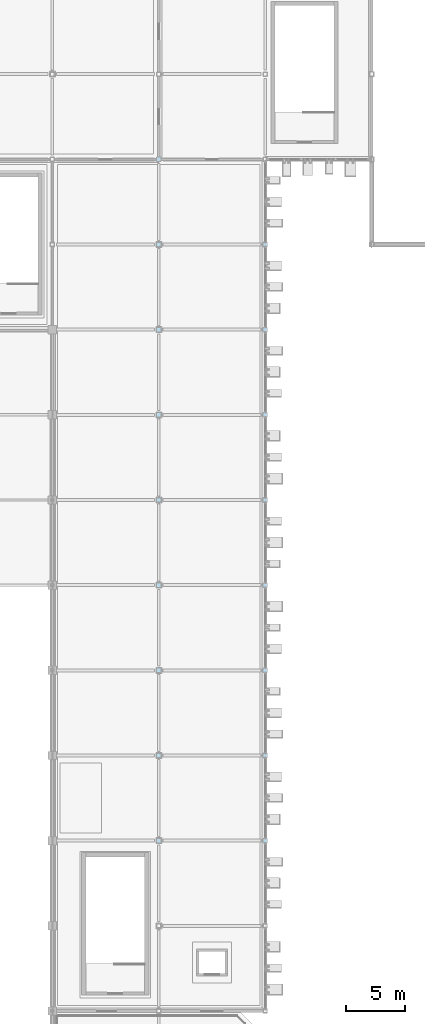
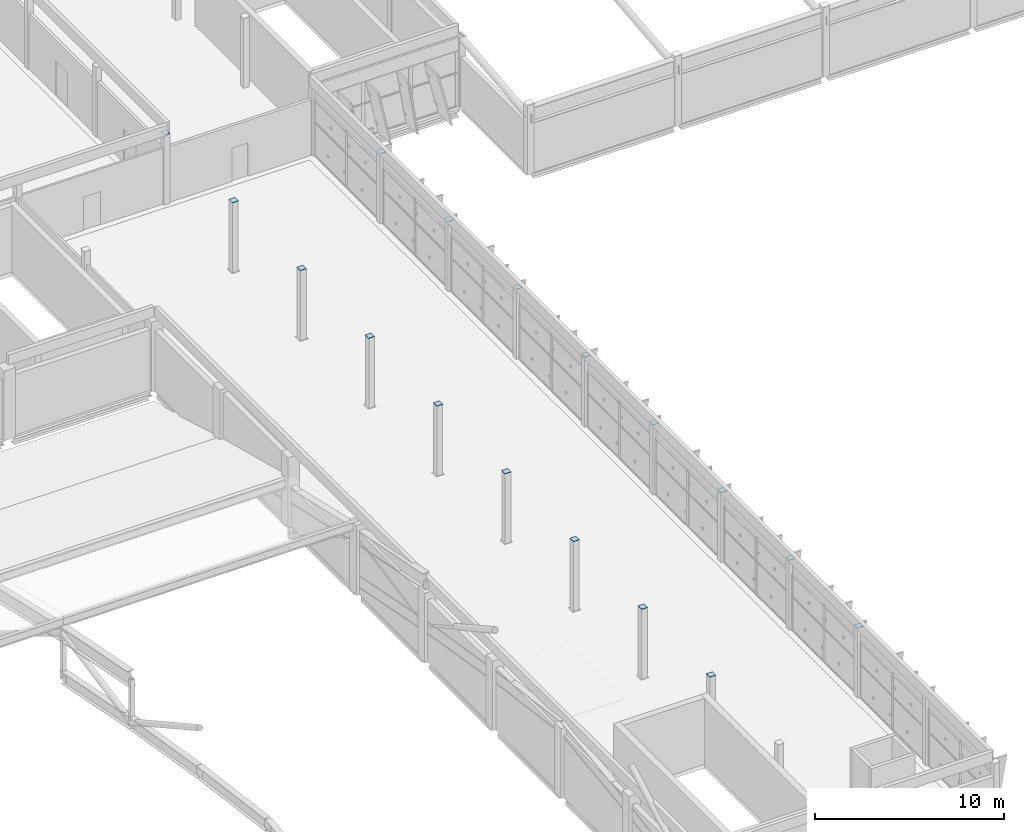
# One storey, part 92 of 124: 17 plates.
"""IFC4 building model written with IfcOpenShell, lengths in metres."""

from ifc_helpers import new_model, si_unit, direction, frame, origin, origin_2d, place, context, subcontext, project, spatial, rectangle, extrude, material, layer, layer_set, type_object, element, save


model = new_model("IFC4")

# Units and contexts
model_context = context("Model", 3, precision=1e-05, world=origin(), true_north=direction((0.0, 1.0)))
body_context = subcontext(model_context, "Body", "Model", "MODEL_VIEW")
ifc_project = project(units=[si_unit("LENGTHUNIT", "METRE"), si_unit("AREAUNIT", "SQUARE_METRE"), si_unit("VOLUMEUNIT", "CUBIC_METRE"), si_unit("PLANEANGLEUNIT", "RADIAN"), si_unit("MASSUNIT", "GRAM", prefix="KILO")], contexts=[model_context])

# Site, building, storey
site_placement = place(None, origin())
site = spatial("IfcSite", under=ifc_project, at=site_placement, CompositionType="ELEMENT")
building_placement = place(site_placement, origin())
building = spatial("IfcBuilding", under=site, at=building_placement, Name="Celestram Park Convention Centre", CompositionType="ELEMENT")
storey_placement = place(building_placement, frame((0.0, 0.0, 15.300048828125)))
storey = spatial("IfcBuildingStorey", under=building, at=storey_placement, Name="L03", CompositionType="ELEMENT", Elevation=15.300048828125)

# Plates
ifc_material = material(Name="Steel ASTM A572 Grade 50", Category="steel")
ifc_layer = layer(ifc_material, 0.02490234375)
ifc_layer_set = layer_set([ifc_layer], Name="Steel ASTM A572 Grade 50")
plate_type = type_object("IfcPlateType", Name="STR-PLT-EC350", PredefinedType="USERDEFINED", material=ifc_layer_set)
for number, where, z_axis, x_axis, name in (
    (1, (135.0, 64.800048828125, 4.49951171875), (0.0, 0.0, 1.0), (1.0, 0.0, 0.0), "HSS column end closure cap plate EC-L03-089"),
    (2, (135.0, 72.0, 4.49951171875), (0.0, 0.0, 1.0), (1.0, 0.0, 0.0), "HSS column end closure cap plate EC-L03-090"),
    (3, (135.0, 79.199951171875, 4.49951171875), (0.0, 0.0, 1.0), (1.0, 0.0, 0.0), "HSS column end closure cap plate EC-L03-091"),
    (4, (135.0, 86.39990234375, 4.49951171875), (0.0, 0.0, 1.0), (1.0, 0.0, 0.0), "HSS column end closure cap plate EC-L03-092"),
    (5, (135.0, 93.60009765625, 4.49951171875), (0.0, 0.0, 1.0), (1.0, 0.0, 0.0), "HSS column end closure cap plate EC-L03-093"),
    (6, (135.0, 100.800048828125, 4.49951171875), (0.0, 0.0, 1.0), (1.0, 0.0, 0.0), "HSS column end closure cap plate EC-L03-094"),
    (7, (135.0, 108.0, 4.49951171875), (0.0, 0.0, 1.0), (1.0, 0.0, 0.0), "HSS column end closure cap plate EC-L03-095"),
    (8, (135.0, 115.199951171875, 4.49951171875), (0.0, 0.0, 1.0), (1.0, 0.0, 0.0), "HSS column end closure cap plate EC-L03-096"),
    (9, (135.0, 122.39990234375, 4.49951171875), (0.0, 0.0, 1.0), (1.0, 0.0, 0.0), "HSS column end closure cap plate EC-L03-097"),
    (10, (144.0, 64.800048828125, 4.49951171875), (0.0, 0.0, 1.0), (1.0, 0.0, 0.0), "HSS column end closure cap plate EC-L03-106"),
    (11, (144.0, 72.0, 4.49951171875), (0.0, 0.0, 1.0), (1.0, 0.0, 0.0), "HSS column end closure cap plate EC-L03-107"),
    (12, (144.0, 79.199951171875, 4.49951171875), (0.0, 0.0, 1.0), (1.0, 0.0, 0.0), "HSS column end closure cap plate EC-L03-108"),
    (13, (144.0, 86.39990234375, 4.49951171875), (0.0, 0.0, 1.0), (1.0, 0.0, 0.0), "HSS column end closure cap plate EC-L03-109"),
    (14, (144.0, 93.60009765625, 4.49951171875), (0.0, 0.0, 1.0), (1.0, 0.0, 0.0), "HSS column end closure cap plate EC-L03-110"),
    (15, (144.0, 100.800048828125, 4.49951171875), (0.0, 0.0, 1.0), (1.0, 0.0, 0.0), "HSS column end closure cap plate EC-L03-111"),
    (16, (144.0, 108.0, 4.49951171875), (0.0, 0.0, 1.0), (1.0, 0.0, 0.0), "HSS column end closure cap plate EC-L03-112"),
    (17, (144.0, 115.199951171875, 4.49951171875), (0.0, 0.0, 1.0), (1.0, 0.0, 0.0), "HSS column end closure cap plate EC-L03-113"),
):
    element("IfcPlate", number, at=place(storey_placement, frame(where, z_axis=z_axis, x_axis=x_axis)), inside=storey, type_object=plate_type, Name=name, ObjectType="GUSSET_PLATE", PredefinedType="USERDEFINED", context=body_context, shape_type="SweptSolid", body=[
        extrude(rectangle(XDim=0.3701171875, YDim=0.3701171875, at=origin_2d()), origin(), (0.0, 0.0, 1.0), 0.02490234375),
    ])

save(model, "model.ifc")
